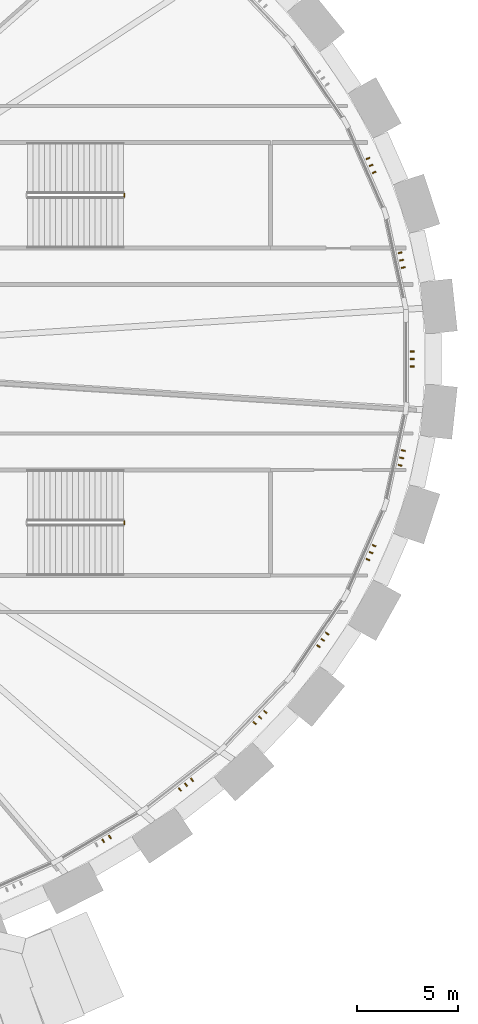
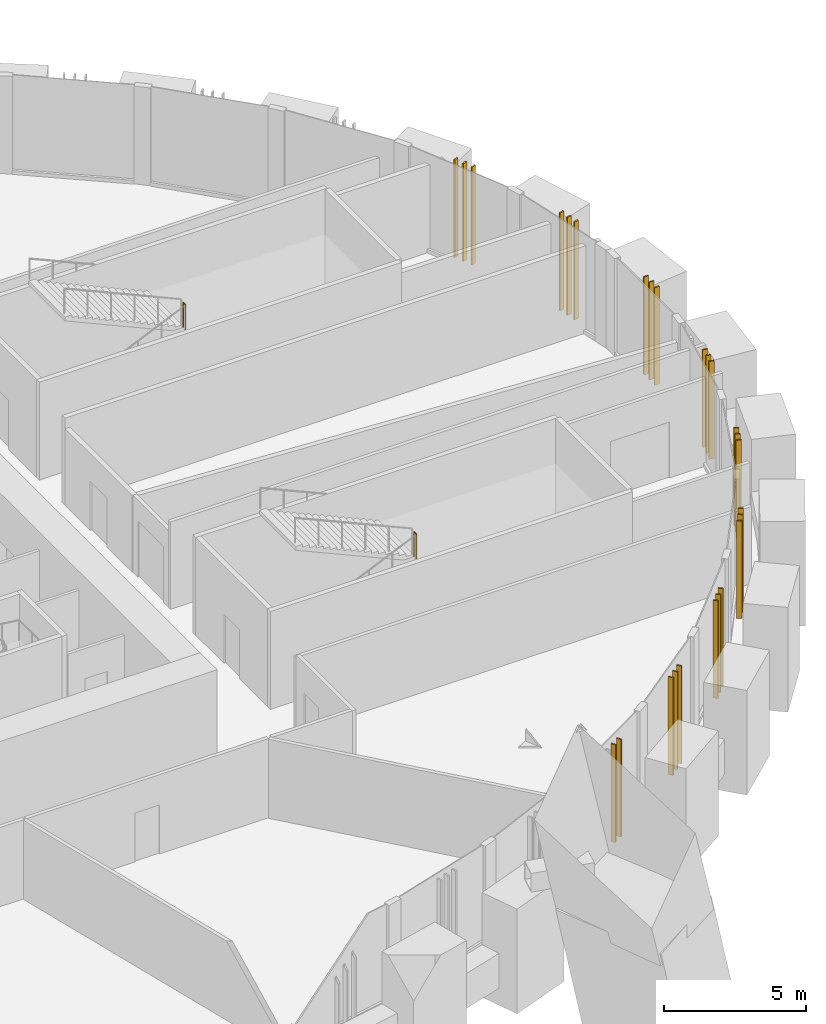
# One storey, part 21 of 23: 26 shading devices, 2 railings.
"""IFC4 building model written with IfcOpenShell, lengths in metres."""

from ifc_helpers import new_model, si_unit, direction, frame, origin, origin_2d, place, context, subcontext, project, spatial, rectangle, circle, extrude, source, transform, mapped, material, material_profile, profile_set, type_object, element, save


model = new_model("IFC4")

# Units and contexts
model_context = context("Model", 3, precision=1e-05, world=origin(), true_north=direction((0.0, 1.0)))
body_context = subcontext(model_context, "Body", "Model", "MODEL_VIEW")
ifc_project = project(units=[si_unit("LENGTHUNIT", "METRE"), si_unit("AREAUNIT", "SQUARE_METRE"), si_unit("VOLUMEUNIT", "CUBIC_METRE"), si_unit("PLANEANGLEUNIT", "RADIAN"), si_unit("MASSUNIT", "GRAM", prefix="KILO")], contexts=[model_context])

# Site, building, storey
site_placement = place(None, origin())
site = spatial("IfcSite", under=ifc_project, at=site_placement, CompositionType="ELEMENT")
building_placement = place(site_placement, origin())
building = spatial("IfcBuilding", under=site, at=building_placement, Name="Embergate Tower", CompositionType="ELEMENT")
storey_placement = place(building_placement, frame((0.0, 0.0, 29.0)))
storey = spatial("IfcBuildingStorey", under=building, at=storey_placement, Name="L03", CompositionType="ELEMENT", Elevation=29.0)

# Shading devices
ifc_material_1 = material(Name="Terracotta, extruded and glazed", Category="masonry")
ifc_material_profile = material_profile(ifc_material_1, rectangle(XDim=0.18994140625, YDim=0.06005859375, at=origin_2d()), Name="TC 190x60")
ifc_profile_set = profile_set([ifc_material_profile], Name="Terracotta, extruded and glazed")
shading_device_type = type_object("IfcShadingDeviceType", Name="Terracotta fin", PredefinedType="USERDEFINED", material=ifc_profile_set)
shared_shape_1 = source(origin(), body_context, "Body", "SweptSolid", [
    extrude(rectangle(XDim=0.18994140625, YDim=0.06005859375, at=origin_2d()), origin(), (0.0, 0.0, 1.0), 4.199951171875),
])
for number, where, z_axis, x_axis, name in (
    (1, (38.703369140625, 4.542236328125, 0.0), (0.0, 0.0, 1.0), (-0.97761683237, -0.21039327239, 0.0), "Fin 1.1"),
    (2, (38.624267578125, 4.9091796875, 0.0), (0.0, 0.0, 1.0), (-0.97761683237, -0.21039327239, 0.0), "Fin 1.2"),
    (3, (38.54541015625, 5.27587890625, 0.0), (0.0, 0.0, 1.0), (-0.97761683237, -0.21039327239, 0.0), "Fin 1.3"),
    (4, (37.255615234375, 9.265380859375, 0.0), (0.0, 0.0, 1.0), (-0.915795833921, -0.401644109346, 0.0), "Fin 2.1"),
    (5, (37.10400390625, 9.61083984375, 0.0), (0.0, 0.0, 1.0), (-0.915795833921, -0.401644109346, 0.0), "Fin 2.2"),
    (6, (36.95263671875, 9.956298828125, 0.0), (0.0, 0.0, 1.0), (-0.915795833921, -0.401644109346, 0.0), "Fin 2.3"),
    (7, (23.806640625, -23.920654296875, 0.0), (0.0, 0.0, 1.0), (-0.506828384679, 0.862046975799, 0.0), "Fin 38.2"),
    (8, (24.138916015625, -23.725341796875, 0.0), (0.0, 0.0, 1.0), (-0.506828384679, 0.862046975799, 0.0), "Fin 38.3"),
    (9, (27.612548828125, -21.36376953125, 0.0), (0.0, 0.0, 1.0), (-0.615274931259, 0.788312602312, 0.0), "Fin 39.1"),
    (10, (27.915283203125, -21.127685546875, 0.0), (0.0, 0.0, 1.0), (-0.615274931259, 0.788312602312, 0.0), "Fin 39.2"),
    (11, (28.2177734375, -20.891357421875, 0.0), (0.0, 0.0, 1.0), (-0.615274931259, 0.788312602312, 0.0), "Fin 39.3"),
    (12, (31.330322265625, -18.07275390625, 0.0), (0.0, 0.0, 1.0), (-0.723690239735, 0.690124942972, 0.0), "Fin 40.1"),
    (13, (31.593994140625, -17.79638671875, 0.0), (0.0, 0.0, 1.0), (-0.723690239735, 0.690124942972, 0.0), "Fin 40.2"),
    (14, (31.857421875, -17.52001953125, 0.0), (0.0, 0.0, 1.0), (-0.723690239735, 0.690124942972, 0.0), "Fin 40.3"),
    (15, (34.4951171875, -14.2548828125, 0.0), (0.0, 0.0, 1.0), (-0.826910820018, 0.562333082556, 0.0), "Fin 41.1"),
    (16, (34.70849609375, -13.94091796875, 0.0), (0.0, 0.0, 1.0), (-0.826910820018, 0.562333082556, 0.0), "Fin 41.2"),
    (17, (34.921875, -13.627197265625, 0.0), (0.0, 0.0, 1.0), (-0.826910820018, 0.562333082556, 0.0), "Fin 41.3"),
    (18, (36.95263671875, -9.956298828125, 0.0), (0.0, 0.0, 1.0), (-0.915795833921, 0.401644109346, 0.0), "Fin 42.1"),
    (19, (37.10400390625, -9.61083984375, 0.0), (0.0, 0.0, 1.0), (-0.915795833921, 0.401644109346, 0.0), "Fin 42.2"),
    (20, (37.255615234375, -9.265380859375, 0.0), (0.0, 0.0, 1.0), (-0.915795833921, 0.401644109346, 0.0), "Fin 42.3"),
    (21, (38.54541015625, -5.27587890625, 0.0), (0.0, 0.0, 1.0), (-0.97761683237, 0.21039327239, 0.0), "Fin 43.1"),
    (22, (38.624267578125, -4.9091796875, 0.0), (0.0, 0.0, 1.0), (-0.97761683237, 0.21039327239, 0.0), "Fin 43.2"),
    (23, (38.703369140625, -4.542236328125, 0.0), (0.0, 0.0, 1.0), (-0.97761683237, 0.21039327239, 0.0), "Fin 43.3"),
    (24, (39.146728515625, -0.37451171875, 0.0), (0.0, 0.0, 1.0), (-1.0, 0.0, 0.0), "Fin 44.1"),
    (25, (39.146728515625, 0.0, 0.0), (0.0, 0.0, 1.0), (-1.0, 0.0, 0.0), "Fin 44.2"),
    (26, (39.146728515625, 0.37451171875, 0.0), (0.0, 0.0, 1.0), (-1.0, 0.0, 0.0), "Fin 44.3"),
):
    element("IfcShadingDevice", number, at=place(storey_placement, frame(where, z_axis=z_axis, x_axis=x_axis)), inside=storey, type_object=shading_device_type, Name=name, ObjectType="FIN", PredefinedType="USERDEFINED", context=body_context, shape_type="MappedRepresentation", body=[
        mapped(shared_shape_1, transform((0.0, 0.0, 0.0))),
    ])

# Railings
ifc_material_2 = material(Name="Steel", Category="steel")
railing_type = type_object("IfcRailingType", Name="Podium stair guard 1100", PredefinedType="GUARDRAIL", material=ifc_material_2)
shared_shape_2 = source(origin(), body_context, "Body", "SweptSolid", [
    extrude(circle(Radius=0.02392578125, at=origin_2d()), frame((0.0, 0.0, 1.076171875), z_axis=(0.0, 1.0, 0.0), x_axis=(-1.0, 0.0, 0.0)), (0.0, 0.0, 1.0), 0.14990234375),
    extrude(circle(Radius=0.02099609375, at=origin_2d()), origin(), (0.0, 0.0, 1.0), 1.052001953125),
    extrude(circle(Radius=0.02099609375, at=origin_2d()), frame((0.0, 0.14990234375, 0.0)), (0.0, 0.0, 1.0), 1.052001953125),
])
for number, where, name in (
    (27, (24.860107421875, 8.050048828125, 2.25), "L03 P1 stair guard 2"),
    (28, (24.860107421875, -8.199951171875, 2.25), "L03 P2 stair guard 2"),
):
    element("IfcRailing", number, at=place(storey_placement, frame(where)), inside=storey, type_object=railing_type, Name=name, PredefinedType="GUARDRAIL", context=body_context, shape_type="MappedRepresentation", body=[
        mapped(shared_shape_2, transform((0.0, 0.0, 0.0))),
    ])

save(model, "model.ifc")
